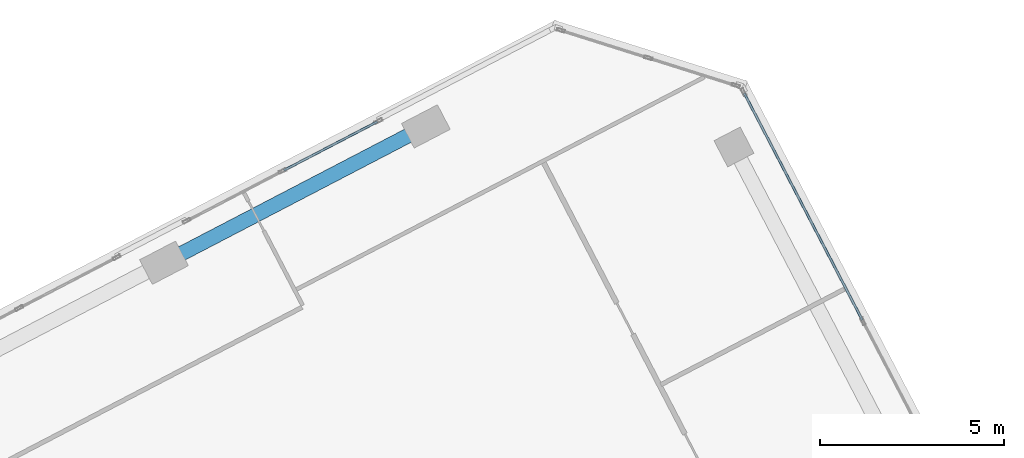
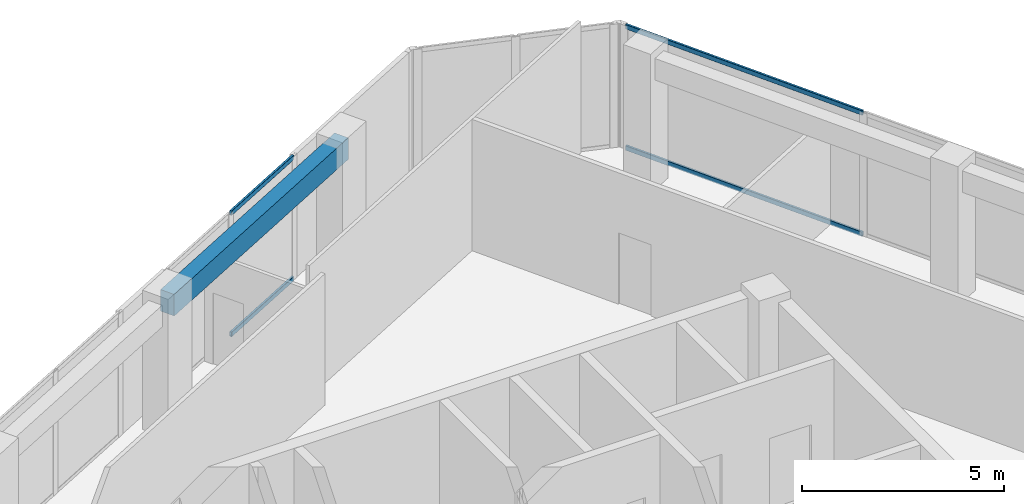
# One storey, part 9 of 17: 4 members, 1 beam, 2 elements without a shape of their own.
"""IFC4 building model written with IfcOpenShell, lengths in metres."""

from ifc_helpers import new_model, si_unit, direction, frame, origin, origin_2d, place, context, subcontext, project, spatial, rectangle, hollow_rectangle, extrude, source, transform, mapped, material, material_profile, profile_set, type_object, element, aggregate, save


model = new_model("IFC4")

# Units and contexts
model_context = context("Model", 3, precision=1e-05, world=origin(), true_north=direction((0.0, 1.0)))
body_context = subcontext(model_context, "Body", "Model", "MODEL_VIEW")
ifc_project = project(units=[si_unit("LENGTHUNIT", "METRE"), si_unit("AREAUNIT", "SQUARE_METRE"), si_unit("VOLUMEUNIT", "CUBIC_METRE"), si_unit("PLANEANGLEUNIT", "RADIAN"), si_unit("MASSUNIT", "GRAM", prefix="KILO")], contexts=[model_context])

# Site, building, storey
site_placement = place(None, origin())
site = spatial("IfcSite", under=ifc_project, at=site_placement, CompositionType="ELEMENT")
building_placement = place(site_placement, origin())
building = spatial("IfcBuilding", under=site, at=building_placement, Name="Torre Montelarca", CompositionType="ELEMENT")
storey_placement = place(building_placement, frame((0.0, 0.0, 332.39990234375)))
storey = spatial("IfcBuildingStorey", under=building, at=storey_placement, Name="L75", CompositionType="ELEMENT", Elevation=332.39990234375)

# Beam
ifc_material_1 = material(Name="Concrete C40/50", Category="concrete")
ifc_material_profile_1 = material_profile(ifc_material_1, rectangle(XDim=0.39990234375, YDim=0.64990234375, at=origin_2d()), Name="RCB400X650", Category="concrete")
ifc_profile_set_1 = profile_set([ifc_material_profile_1], Name="Concrete C40/50")
beam_type = type_object("IfcBeamType", Name="BM-SP-RC650-EXT", PredefinedType="SPANDREL", material=ifc_profile_set_1)
shared_shape_1 = source(origin(), body_context, "Body", "SweptSolid", [
    extrude(rectangle(XDim=0.39990234375, YDim=0.64990234375, at=origin_2d()), origin(), (0.0, 0.0, 1.0), 8.000244140625),
])
beam_placement = place(storey_placement, frame((13.719482421875, 46.946044921875, 3.635009765625), z_axis=(0.887008356996, 0.461753369906, 0.0), x_axis=(-0.461753369906, 0.887008356996, 0.0)))
element("IfcBeam", 1, at=beam_placement, inside=storey, type_object=beam_type, Name="L75 Grid Girder Y 32.0-40.0 at X=4.7", PredefinedType="SPANDREL", context=body_context, shape_type="MappedRepresentation", body=[
    mapped(shared_shape_1, transform((0.0, 0.0, 0.0), scale=1.0)),
])

# Curtain wall, members
ifc_material_2 = material(Name="Insulated low-E laminated glass", Category="glass")
curtain_wall_type = type_object("IfcCurtainWallType", Name="CW-SYS-Z4", PredefinedType="USERDEFINED", material=ifc_material_2)
curtain_wall_1_placement = place(storey_placement, origin())
curtain_wall_1 = element("IfcCurtainWall", 2, at=curtain_wall_1_placement, inside=storey, type_object=curtain_wall_type, Name="L75 Curtain Wall Run CW-T3-L75-E10-B1", ObjectType="UNITISED GLAZING", PredefinedType="USERDEFINED")
ifc_material_3 = material(Name="Anodised aluminium AA 6063-T6", Category="aluminium")
ifc_material_profile_2 = material_profile(ifc_material_3, hollow_rectangle(XDim=0.06494140625, YDim=0.139892578125, WallThickness=0.00390625, InnerFilletRadius=0.00390625, OuterFilletRadius=0.008056640625, at=origin_2d()), Name="ALU65X140X4", Category="aluminium")
ifc_profile_set_2 = profile_set([ifc_material_profile_2], Name="Anodised aluminium AA 6063-T6")
member_type = type_object("IfcMemberType", Name="CWT-ALU140", PredefinedType="USERDEFINED", material=ifc_profile_set_2)
shared_shape_2 = source(origin(), body_context, "Body", "SweptSolid", [
    extrude(hollow_rectangle(XDim=0.06494140625, YDim=0.139892578125, WallThickness=0.00390625, InnerFilletRadius=0.00390625, OuterFilletRadius=0.008056640625, at=origin_2d()), origin(), (0.0, 0.0, 1.0), 2.857421875),
])
member_1_placement = place(storey_placement, frame((19.5029296875, 50.7685546875, 0.03271484375), z_axis=(-0.887029278376, -0.461713178611, 0.0), x_axis=(0.461713178611, -0.887029278376, 0.0)))
member_1 = element("IfcMember", 3, at=member_1_placement, type_object=member_type, Name="CW transom 1.1", ObjectType="TRANSOM", PredefinedType="USERDEFINED", context=body_context, shape_type="MappedRepresentation", body=[
    mapped(shared_shape_2, transform((0.0, 0.0, 0.0), scale=1.0)),
])
member_2_placement = place(storey_placement, frame((19.5029296875, 50.7685546875, 3.6875), z_axis=(-0.887029278376, -0.461713178611, 0.0), x_axis=(0.461713178611, -0.887029278376, 0.0)))
member_2 = element("IfcMember", 4, at=member_2_placement, type_object=member_type, Name="CW transom 1.2", ObjectType="TRANSOM", PredefinedType="USERDEFINED", context=body_context, shape_type="MappedRepresentation", body=[
    mapped(shared_shape_2, transform((0.0, 0.0, 0.0), scale=1.0)),
])
aggregate(curtain_wall_1, [member_1, member_2])

curtain_wall_2_placement = place(storey_placement, origin())
curtain_wall_2 = element("IfcCurtainWall", 5, at=curtain_wall_2_placement, inside=storey, type_object=curtain_wall_type, Name="L75 Curtain Wall Run CW-T3-L75-E08-B1", ObjectType="UNITISED GLAZING", PredefinedType="USERDEFINED")
shared_shape_3 = source(origin(), body_context, "Body", "SweptSolid", [
    extrude(hollow_rectangle(XDim=0.06494140625, YDim=0.139892578125, WallThickness=0.00390625, InnerFilletRadius=0.00390625, OuterFilletRadius=0.008056640625, at=origin_2d()), origin(), (0.0, 0.0, 1.0), 6.929443359375),
])
member_3_placement = place(storey_placement, frame((32.64697265625, 45.3896484375, 0.03271484375), z_axis=(-0.461754266382, 0.887007890313, 0.0), x_axis=(-0.887007890313, -0.461754266382, 0.0)))
member_3 = element("IfcMember", 6, at=member_3_placement, type_object=member_type, Name="CW transom 4.1", ObjectType="TRANSOM", PredefinedType="USERDEFINED", context=body_context, shape_type="MappedRepresentation", body=[
    mapped(shared_shape_3, transform((0.0, 0.0, 0.0), scale=1.0)),
])
member_4_placement = place(storey_placement, frame((32.64697265625, 45.3896484375, 3.6875), z_axis=(-0.461754266382, 0.887007890313, 0.0), x_axis=(-0.887007890313, -0.461754266382, 0.0)))
member_4 = element("IfcMember", 7, at=member_4_placement, type_object=member_type, Name="CW transom 4.2", ObjectType="TRANSOM", PredefinedType="USERDEFINED", context=body_context, shape_type="MappedRepresentation", body=[
    mapped(shared_shape_3, transform((0.0, 0.0, 0.0), scale=1.0)),
])
aggregate(curtain_wall_2, [member_3, member_4])

save(model, "model.ifc")
